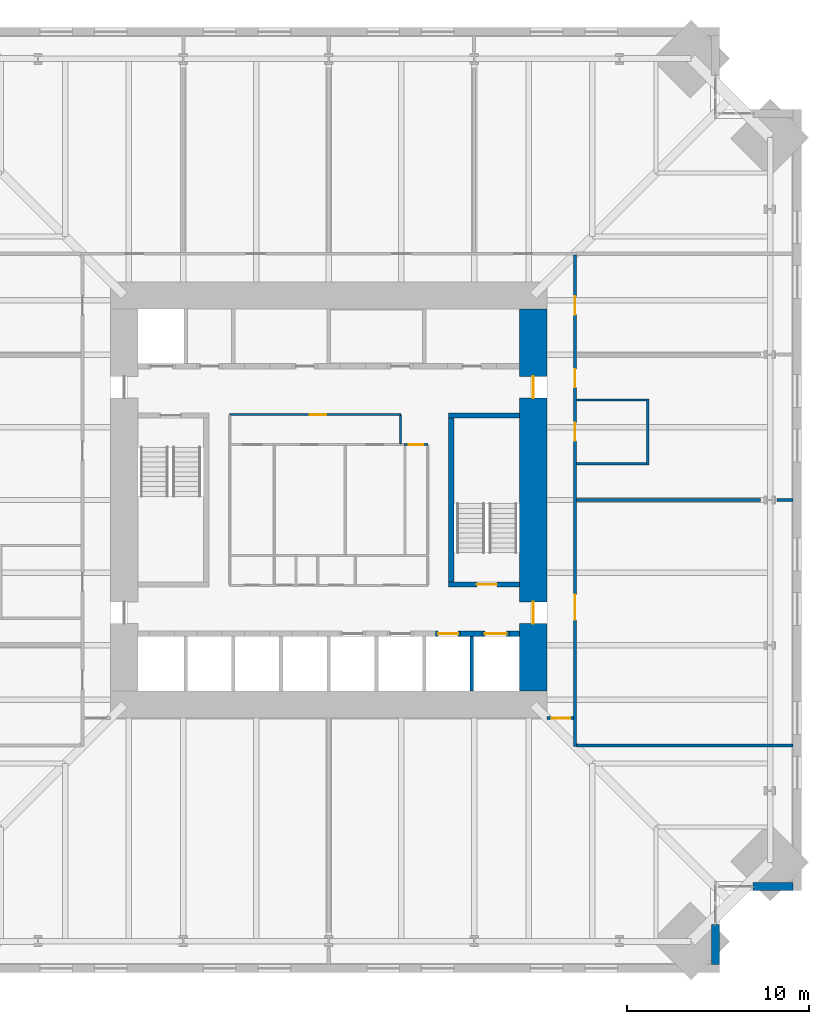
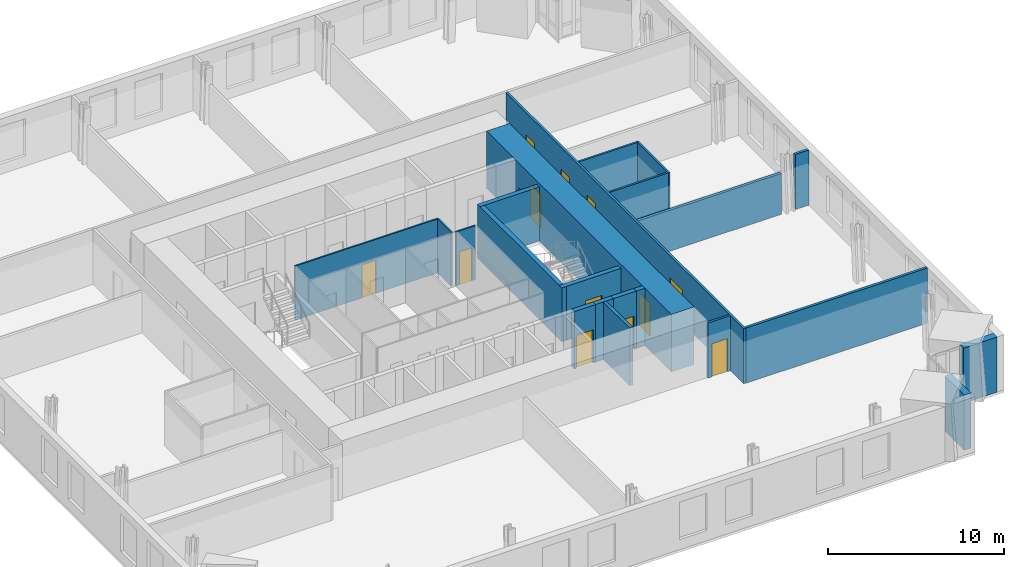
# One storey, part 15 of 18: 22 walls, 12 doors, 12 openings.
"""IFC4 building model written with IfcOpenShell, lengths in metres."""

from ifc_helpers import new_model, si_unit, direction, frame, frame_2d, origin, place, context, subcontext, project, spatial, rectangle, extrude, material, layer, layer_set, type_object, element, fill, save


model = new_model("IFC4")

# Units and contexts
model_context = context("Model", 3, precision=1e-05, world=origin(), true_north=direction((0.0, 1.0)))
body_context = subcontext(model_context, "Body", "Model", "MODEL_VIEW")
ifc_project = project(units=[si_unit("LENGTHUNIT", "METRE"), si_unit("AREAUNIT", "SQUARE_METRE"), si_unit("VOLUMEUNIT", "CUBIC_METRE"), si_unit("PLANEANGLEUNIT", "RADIAN"), si_unit("MASSUNIT", "GRAM", prefix="KILO")], contexts=[model_context])

# Site, building, storey
site_placement = place(None, origin())
site = spatial("IfcSite", under=ifc_project, at=site_placement, CompositionType="ELEMENT")
building_placement = place(site_placement, origin())
building = spatial("IfcBuilding", under=site, at=building_placement, Name="Peilmerk Tower", CompositionType="ELEMENT")
storey_placement = place(building_placement, frame((0.0, 0.0, 163.800048828125)))
storey = spatial("IfcBuildingStorey", under=building, at=storey_placement, Name="L34", CompositionType="ELEMENT", Elevation=163.800048828125)

# Walls
ifc_material_1 = material(Name="Precast concrete C45/55, board-marked finish", Category="concrete")
ifc_layer_1 = layer(ifc_material_1, 0.449951171875)
ifc_layer_set_1 = layer_set([ifc_layer_1], Name="Precast concrete C45/55, board-marked finish")
wall_type_1 = type_object("IfcWallType", Name="EW1 450 precast concrete facade wall, board-marked", PredefinedType="SOLIDWALL", material=ifc_layer_set_1)
for number, where, z_axis, x_axis, name in (
    (1, (21.27490234375, -23.353759765625, 0.0), (0.0, 0.0, 1.0), (0.0, -1.0, 0.0), "Facade wall SEA L34"),
    (2, (23.353759765625, -21.27490234375, 0.0), (0.0, 0.0, 1.0), (1.0, 0.0, 0.0), "Facade wall SEB L34"),
):
    element("IfcWall", number, at=place(storey_placement, frame(where, z_axis=z_axis, x_axis=x_axis)), inside=storey, type_object=wall_type_1, Name=name, PredefinedType="SOLIDWALL", context=body_context, shape_type="SweptSolid", body=[
        extrude(rectangle(XDim=2.1962890625, YDim=0.449951171875, at=frame_2d((1.09814453125, 0.0))), origin(), (0.0, 0.0, 1.0), 3.829833984375),
    ])

# Wall, openings, doors
ifc_material_2 = material(Name="Calcium silicate block", Category="masonry")
ifc_layer_2 = layer(ifc_material_2, 0.14990234375)
ifc_layer_set_2 = layer_set([ifc_layer_2], Name="Calcium silicate block")
wall_type_2 = type_object("IfcWallType", Name="IW1 150 corridor partition, EI 60", PredefinedType="PARTITIONING", material=ifc_layer_set_2)
wall_1_placement = place(storey_placement, frame((13.550048828125, -13.574951171875, 0.0), z_axis=(0.0, 0.0, 1.0), x_axis=(0.0, 1.0, 0.0)))
wall_1 = element("IfcWall", 3, at=wall_1_placement, inside=storey, type_object=wall_type_2, Name="Corridor wall E L34", PredefinedType="PARTITIONING", context=body_context, shape_type="SweptSolid", body=[
    extrude(rectangle(XDim=27.050048828125, YDim=0.14990234375, at=frame_2d((13.52490234375, 0.0))), origin(), (0.0, 0.0, 1.0), 3.829833984375),
])
opening_1_placement = place(wall_1_placement, frame((6.97509765625, 0.0, 0.0)))
opening_1 = element("IfcOpeningElement", 4, at=opening_1_placement, cuts=wall_1, Name="Opening D8", PredefinedType="OPENING", context=body_context, shape_type="SweptSolid", body=[
    extrude(rectangle(XDim=1.39990234375, YDim=2.300048828125, at=frame_2d((0.699951171875, 1.14990234375))), frame((0.0, 0.0849609375, 0.0), z_axis=(0.0, -1.0, 0.0), x_axis=(1.0, 0.0, 0.0)), (0.0, 0.0, 1.0), 0.169921875),
])
opening_2_placement = place(wall_1_placement, frame((19.77490234375, 0.0, 0.0)))
opening_2 = element("IfcOpeningElement", 5, at=opening_2_placement, cuts=wall_1, Name="Opening D1", PredefinedType="OPENING", context=body_context, shape_type="SweptSolid", body=[
    extrude(rectangle(XDim=1.0, YDim=2.300048828125, at=frame_2d((0.5, 1.14990234375))), frame((0.0, 0.0849609375, 0.0), z_axis=(0.0, -1.0, 0.0), x_axis=(1.0, 0.0, 0.0)), (0.0, 0.0, 1.0), 0.169921875),
])
opening_3_placement = place(wall_1_placement, frame((23.77490234375, 0.0, 0.0)))
opening_3 = element("IfcOpeningElement", 6, at=opening_3_placement, cuts=wall_1, Name="Opening D1", PredefinedType="OPENING", context=body_context, shape_type="SweptSolid", body=[
    extrude(rectangle(XDim=1.0, YDim=2.300048828125, at=frame_2d((0.5, 1.14990234375))), frame((0.0, 0.0849609375, 0.0), z_axis=(0.0, -1.0, 0.0), x_axis=(1.0, 0.0, 0.0)), (0.0, 0.0, 1.0), 0.169921875),
])
opening_4_placement = place(wall_1_placement, frame((16.824951171875, 0.0, 0.0)))
opening_4 = element("IfcOpeningElement", 7, at=opening_4_placement, cuts=wall_1, Name="Opening D1", PredefinedType="OPENING", context=body_context, shape_type="SweptSolid", body=[
    extrude(rectangle(XDim=1.0, YDim=2.300048828125, at=frame_2d((0.5, 1.14990234375))), frame((0.0, 0.0849609375, 0.0), z_axis=(0.0, -1.0, 0.0), x_axis=(1.0, 0.0, 0.0)), (0.0, 0.0, 1.0), 0.169921875),
])
ifc_material_3 = material(Name="Timber door in steel frame", Category="steel")
door_type_1 = type_object("IfcDoorType", Name="D1 1000x2300 room door, EI2 30", OperationType="SINGLE_SWING_LEFT", PredefinedType="DOOR", material=ifc_material_3)
door_1_placement = place(opening_2_placement, frame((1.0, 0.0, 0.0), z_axis=(0.0, 0.0, 1.0), x_axis=(-1.0, 0.0, 0.0)))
door_1 = element("IfcDoor", 8, at=door_1_placement, inside=storey, type_object=door_type_1, Name="Door Office L34", OperationType="SINGLE_SWING_LEFT", OverallHeight=2.300048828125, OverallWidth=1.0, PredefinedType="DOOR", context=body_context, shape_type="SweptSolid", body=[
    extrude(rectangle(XDim=1.0, YDim=2.300048828125, at=frame_2d((0.5, 1.14990234375))), frame((0.0, 0.02490234375, 0.0), z_axis=(0.0, -1.0, 0.0), x_axis=(1.0, 0.0, 0.0)), (0.0, 0.0, 1.0), 0.050048828125),
])
fill(opening_2, door_1)
door_2_placement = place(opening_3_placement, frame((1.0, 0.0, 0.0), z_axis=(0.0, 0.0, 1.0), x_axis=(-1.0, 0.0, 0.0)))
door_2 = element("IfcDoor", 9, at=door_2_placement, inside=storey, type_object=door_type_1, Name="Door Office L34", OperationType="SINGLE_SWING_LEFT", OverallHeight=2.300048828125, OverallWidth=1.0, PredefinedType="DOOR", context=body_context, shape_type="SweptSolid", body=[
    extrude(rectangle(XDim=1.0, YDim=2.300048828125, at=frame_2d((0.5, 1.14990234375))), frame((0.0, 0.02490234375, 0.0), z_axis=(0.0, -1.0, 0.0), x_axis=(1.0, 0.0, 0.0)), (0.0, 0.0, 1.0), 0.050048828125),
])
fill(opening_3, door_2)
door_3_placement = place(opening_4_placement, frame((1.0, 0.0, 0.0), z_axis=(0.0, 0.0, 1.0), x_axis=(-1.0, 0.0, 0.0)))
door_3 = element("IfcDoor", 10, at=door_3_placement, inside=storey, type_object=door_type_1, Name="Door Pantry L34", OperationType="SINGLE_SWING_LEFT", OverallHeight=2.300048828125, OverallWidth=1.0, PredefinedType="DOOR", context=body_context, shape_type="SweptSolid", body=[
    extrude(rectangle(XDim=1.0, YDim=2.300048828125, at=frame_2d((0.5, 1.14990234375))), frame((0.0, 0.02490234375, 0.0), z_axis=(0.0, -1.0, 0.0), x_axis=(1.0, 0.0, 0.0)), (0.0, 0.0, 1.0), 0.050048828125),
])
fill(opening_4, door_3)
door_type_2 = type_object("IfcDoorType", Name="D8 1400x2300 leaf-and-a-half door, EI2 30", OperationType="DOUBLE_DOOR_SINGLE_SWING", PredefinedType="DOOR", material=ifc_material_3)
door_4_placement = place(opening_1_placement, frame((1.39990234375, 0.0, 0.0), z_axis=(0.0, 0.0, 1.0), x_axis=(-1.0, 0.0, 0.0)))
door_4 = element("IfcDoor", 11, at=door_4_placement, inside=storey, type_object=door_type_2, Name="Door Library L34", OperationType="DOUBLE_DOOR_SINGLE_SWING", OverallHeight=2.300048828125, OverallWidth=1.39990234375, PredefinedType="DOOR", context=body_context, shape_type="SweptSolid", body=[
    extrude(rectangle(XDim=1.39990234375, YDim=2.300048828125, at=frame_2d((0.699951171875, 1.14990234375))), frame((0.0, 0.02490234375, 0.0), z_axis=(0.0, -1.0, 0.0), x_axis=(1.0, 0.0, 0.0)), (0.0, 0.0, 1.0), 0.050048828125),
])
fill(opening_1, door_4)

# Wall, opening, door
wall_2_placement = place(storey_placement, frame((13.47509765625, -12.0, 0.0), z_axis=(0.0, 0.0, 1.0), x_axis=(-1.0, 0.0, 0.0)))
wall_2 = element("IfcWall", 12, at=wall_2_placement, inside=storey, type_object=wall_type_2, Name="Corridor wall SE L34", PredefinedType="PARTITIONING", context=body_context, shape_type="SweptSolid", body=[
    extrude(rectangle(XDim=1.47509765625, YDim=0.14990234375, at=frame_2d((0.737548828125, 0.0))), origin(), (0.0, 0.0, 1.0), 3.829833984375),
])
opening_5_placement = place(wall_2_placement, frame((0.199951171875, 0.0, 0.0)))
opening_5 = element("IfcOpeningElement", 13, at=opening_5_placement, cuts=wall_2, Name="Opening D1", PredefinedType="OPENING", context=body_context, shape_type="SweptSolid", body=[
    extrude(rectangle(XDim=1.0, YDim=2.300048828125, at=frame_2d((0.5, 1.14990234375))), frame((0.0, 0.0849609375, 0.0), z_axis=(0.0, -1.0, 0.0), x_axis=(1.0, 0.0, 0.0)), (0.0, 0.0, 1.0), 0.169921875),
])
door_5_placement = place(opening_5_placement, origin())
door_5 = element("IfcDoor", 14, at=door_5_placement, inside=storey, type_object=door_type_1, Name="Door Office L34", OperationType="SINGLE_SWING_LEFT", OverallHeight=2.300048828125, OverallWidth=1.0, PredefinedType="DOOR", context=body_context, shape_type="SweptSolid", body=[
    extrude(rectangle(XDim=1.0, YDim=2.300048828125, at=frame_2d((0.5, 1.14990234375))), frame((0.0, 0.02490234375, 0.0), z_axis=(0.0, -1.0, 0.0), x_axis=(1.0, 0.0, 0.0)), (0.0, 0.0, 1.0), 0.050048828125),
])
fill(opening_5, door_5)

# Walls
ifc_material_4 = material(Name="Concrete C35/45", Category="concrete")
ifc_layer_3 = layer(ifc_material_4, 0.300048828125)
ifc_layer_set_3 = layer_set([ifc_layer_3], Name="Concrete C35/45")
wall_type_3 = type_object("IfcWallType", Name="IW3 300 concrete stair enclosure wall, EI 120", PredefinedType="SOLIDWALL", material=ifc_layer_set_3)
wall_3_placement = place(storey_placement, frame((6.75, -4.800048828125, 0.0), z_axis=(0.0, 0.0, 1.0), x_axis=(0.0, 1.0, 0.0)))
element("IfcWall", 15, at=wall_3_placement, inside=storey, type_object=wall_type_3, Name="Stair 2 enclosure L34", PredefinedType="SOLIDWALL", context=body_context, shape_type="SweptSolid", body=[
    extrude(rectangle(XDim=9.60009765625, YDim=0.300048828125, at=frame_2d((4.800048828125, 0.0))), origin(), (0.0, 0.0, 1.0), 3.75),
])
wall_4_placement = place(storey_placement, frame((6.60009765625, 4.64990234375, 0.0), z_axis=(0.0, 0.0, 1.0), x_axis=(1.0, 0.0, 0.0)))
element("IfcWall", 16, at=wall_4_placement, inside=storey, type_object=wall_type_3, Name="Stair 2 enclosure L34", PredefinedType="SOLIDWALL", context=body_context, shape_type="SweptSolid", body=[
    extrude(rectangle(XDim=3.89990234375, YDim=0.300048828125, at=frame_2d((1.949951171875, 0.0))), origin(), (0.0, 0.0, 1.0), 3.75),
])

# Wall, opening, door
wall_5_placement = place(storey_placement, frame((10.5, -4.64990234375, 0.0), z_axis=(0.0, 0.0, 1.0), x_axis=(-1.0, 0.0, 0.0)))
wall_5 = element("IfcWall", 17, at=wall_5_placement, inside=storey, type_object=wall_type_3, Name="Stair 2 enclosure L34", PredefinedType="SOLIDWALL", context=body_context, shape_type="SweptSolid", body=[
    extrude(rectangle(XDim=3.89990234375, YDim=0.300048828125, at=frame_2d((1.949951171875, 0.0))), origin(), (0.0, 0.0, 1.0), 3.75),
])
opening_6_placement = place(wall_5_placement, frame((1.25, 0.0, 0.0)))
opening_6 = element("IfcOpeningElement", 18, at=opening_6_placement, cuts=wall_5, Name="Opening D4", PredefinedType="OPENING", context=body_context, shape_type="SweptSolid", body=[
    extrude(rectangle(XDim=1.10009765625, YDim=2.300048828125, at=frame_2d((0.550048828125, 1.14990234375))), frame((0.0, 0.159912109375, 0.0), z_axis=(0.0, -1.0, 0.0), x_axis=(1.0, 0.0, 0.0)), (0.0, 0.0, 1.0), 0.320068359375),
])
ifc_material_5 = material(Name="Steel door in steel frame", Category="steel")
door_type_3 = type_object("IfcDoorType", Name="D4 1100x2300 stair door, EI2 60", OperationType="SINGLE_SWING_RIGHT", PredefinedType="DOOR", material=ifc_material_5)
door_6_placement = place(opening_6_placement, frame((1.10009765625, 0.0, 0.0), z_axis=(0.0, 0.0, 1.0), x_axis=(-1.0, 0.0, 0.0)))
door_6 = element("IfcDoor", 19, at=door_6_placement, inside=storey, type_object=door_type_3, Name="Stair 2 door L34", OperationType="SINGLE_SWING_RIGHT", OverallHeight=2.300048828125, OverallWidth=1.10009765625, PredefinedType="DOOR", context=body_context, shape_type="SweptSolid", body=[
    extrude(rectangle(XDim=1.10009765625, YDim=2.300048828125, at=frame_2d((0.550048828125, 1.14990234375))), frame((0.0, 0.02490234375, 0.0), z_axis=(0.0, -1.0, 0.0), x_axis=(1.0, 0.0, 0.0)), (0.0, 0.0, 1.0), 0.050048828125),
])
fill(opening_6, door_6)

ifc_material_6 = material(Name="Calcium silicate board on steel studs", Category="steel")
ifc_layer_4 = layer(ifc_material_6, 0.10009765625)
ifc_layer_set_4 = layer_set([ifc_layer_4], Name="Calcium silicate board on steel studs")
wall_type_4 = type_object("IfcWallType", Name="IW5 100 riser enclosure wall, EI 60", PredefinedType="PARTITIONING", material=ifc_layer_set_4)
wall_6_placement = place(storey_placement, frame((4.14990234375, 3.050048828125, 0.0), z_axis=(0.0, 0.0, 1.0), x_axis=(1.0, 0.0, 0.0)))
wall_6 = element("IfcWall", 20, at=wall_6_placement, inside=storey, type_object=wall_type_4, Name="Riser wall L34", PredefinedType="PARTITIONING", context=body_context, shape_type="SweptSolid", body=[
    extrude(rectangle(XDim=1.300048828125, YDim=0.10009765625, at=frame_2d((0.64990234375, 0.0))), origin(), (0.0, 0.0, 1.0), 3.75),
])
opening_7_placement = place(wall_6_placement, frame((0.25, 0.0, 0.0)))
opening_7 = element("IfcOpeningElement", 21, at=opening_7_placement, cuts=wall_6, Name="Opening D7", PredefinedType="OPENING", context=body_context, shape_type="SweptSolid", body=[
    extrude(rectangle(XDim=0.800048828125, YDim=2.300048828125, at=frame_2d((0.39990234375, 1.14990234375))), frame((0.0, 0.06005859375, 0.0), z_axis=(0.0, -1.0, 0.0), x_axis=(1.0, 0.0, 0.0)), (0.0, 0.0, 1.0), 0.1201171875),
])
door_type_4 = type_object("IfcDoorType", Name="D7 800x2300 riser access door, EI2 60", OperationType="SINGLE_SWING_RIGHT", PredefinedType="DOOR", material=ifc_material_5)
door_7_placement = place(opening_7_placement, frame((0.800048828125, 0.0, 0.0), z_axis=(0.0, 0.0, 1.0), x_axis=(-1.0, 0.0, 0.0)))
door_7 = element("IfcDoor", 22, at=door_7_placement, inside=storey, type_object=door_type_4, Name="Plumbing riser door L34", OperationType="SINGLE_SWING_RIGHT", OverallHeight=2.300048828125, OverallWidth=0.800048828125, PredefinedType="DOOR", context=body_context, shape_type="SweptSolid", body=[
    extrude(rectangle(XDim=0.800048828125, YDim=2.300048828125, at=frame_2d((0.39990234375, 1.14990234375))), frame((0.0, 0.02490234375, 0.0), z_axis=(0.0, -1.0, 0.0), x_axis=(1.0, 0.0, 0.0)), (0.0, 0.0, 1.0), 0.050048828125),
])
fill(opening_7, door_7)

# Walls
ifc_material_7 = material(Name="Plasterboard on steel studs, double boarded with mineral wool", Category="steel")
ifc_layer_5 = layer(ifc_material_7, 0.125)
ifc_layer_set_5 = layer_set([ifc_layer_5], Name="Plasterboard on steel studs, double boarded with mineral wool")
wall_type_5 = type_object("IfcWallType", Name="IW7 125 acoustic partition, EI 30", PredefinedType="PARTITIONING", material=ifc_layer_set_5)
wall_7_placement = place(storey_placement, frame((17.550048828125, 1.9375, 0.0), z_axis=(0.0, 0.0, 1.0), x_axis=(0.0, 1.0, 0.0)))
element("IfcWall", 23, at=wall_7_placement, inside=storey, type_object=wall_type_5, Name="Acoustic partition Pantry L34", PredefinedType="PARTITIONING", context=body_context, shape_type="SweptSolid", body=[
    extrude(rectangle(XDim=3.625, YDim=0.125, at=frame_2d((1.8125, 0.0))), origin(), (0.0, 0.0, 1.0), 3.829833984375),
])
for number, where, z_axis, x_axis, name in (
    (24, (13.625, 2.0, 0.0), (0.0, 0.0, 1.0), (1.0, 0.0, 0.0), "Acoustic partition Pantry L34"),
    (25, (13.625, 5.5, 0.0), (0.0, 0.0, 1.0), (1.0, 0.0, 0.0), "Acoustic partition Pantry L34"),
):
    element("IfcWall", number, at=place(storey_placement, frame(where, z_axis=z_axis, x_axis=x_axis)), inside=storey, type_object=wall_type_5, Name=name, PredefinedType="PARTITIONING", context=body_context, shape_type="SweptSolid", body=[
        extrude(rectangle(XDim=3.862548828125, YDim=0.125, at=frame_2d((1.93115234375, 0.0))), origin(), (0.0, 0.0, 1.0), 3.829833984375),
    ])
ifc_layer_6 = layer(ifc_material_2, 0.175048828125)
ifc_layer_set_6 = layer_set([ifc_layer_6], Name="Calcium silicate block")
wall_type_6 = type_object("IfcWallType", Name="IW8 175 tenant separating wall, EI 60", PredefinedType="PARTITIONING", material=ifc_layer_set_6)
wall_8_placement = place(storey_placement, frame((25.550048828125, -13.5, 0.0), z_axis=(0.0, 0.0, 1.0), x_axis=(-1.0, 0.0, 0.0)))
element("IfcWall", 26, at=wall_8_placement, inside=storey, type_object=wall_type_6, Name="Tenant separating wall SE L34", PredefinedType="PARTITIONING", context=body_context, shape_type="SweptSolid", body=[
    extrude(rectangle(XDim=11.925048828125, YDim=0.175048828125, at=frame_2d((5.96240234375, 0.0))), origin(), (0.0, 0.0, 1.0), 3.829833984375),
])
wall_9_placement = place(storey_placement, frame((13.625, 0.0, 0.0), z_axis=(0.0, 0.0, 1.0), x_axis=(1.0, 0.0, 0.0)))
element("IfcWall", 27, at=wall_9_placement, inside=storey, type_object=wall_type_6, Name="Tenant separating wall E1 L34", PredefinedType="PARTITIONING", context=body_context, shape_type="SweptSolid", body=[
    extrude(rectangle(XDim=10.1416015625, YDim=0.175048828125, at=frame_2d((5.07080078125, 0.0))), origin(), (0.0, 0.0, 1.0), 2.83984375),
])
wall_10_placement = place(storey_placement, frame((24.656005859375, 0.0, 0.0), z_axis=(0.0, 0.0, 1.0), x_axis=(1.0, 0.0, 0.0)))
element("IfcWall", 28, at=wall_10_placement, inside=storey, type_object=wall_type_6, Name="Tenant separating wall E1b L34", PredefinedType="PARTITIONING", context=body_context, shape_type="SweptSolid", body=[
    extrude(rectangle(XDim=0.89404296875, YDim=0.175048828125, at=frame_2d((0.447021484375, 0.0))), origin(), (0.0, 0.0, 1.0), 3.829833984375),
])

# Wall, opening, door
ifc_material_8 = material(Name="Fire-resisting plasterboard on steel studs", Category="steel")
ifc_layer_7 = layer(ifc_material_8, 0.10009765625)
ifc_layer_set_7 = layer_set([ifc_layer_7], Name="Fire-resisting plasterboard on steel studs")
wall_type_7 = type_object("IfcWallType", Name="IW9 100 WC lobby wall, EI 30", PredefinedType="PARTITIONING", material=ifc_layer_set_7)
wall_11_placement = place(storey_placement, frame((-5.449951171875, 4.699951171875, 0.0), z_axis=(0.0, 0.0, 1.0), x_axis=(1.0, 0.0, 0.0)))
wall_11 = element("IfcWall", 29, at=wall_11_placement, inside=storey, type_object=wall_type_7, Name="WC lobby wall L34", PredefinedType="PARTITIONING", context=body_context, shape_type="SweptSolid", body=[
    extrude(rectangle(XDim=9.39990234375, YDim=0.10009765625, at=frame_2d((4.699951171875, 0.0))), origin(), (0.0, 0.0, 1.0), 3.75),
])
opening_8_placement = place(wall_11_placement, frame((4.39990234375, 0.0, 0.0)))
opening_8 = element("IfcOpeningElement", 30, at=opening_8_placement, cuts=wall_11, Name="Opening D11", PredefinedType="OPENING", context=body_context, shape_type="SweptSolid", body=[
    extrude(rectangle(XDim=0.89990234375, YDim=2.300048828125, at=frame_2d((0.449951171875, 1.14990234375))), frame((0.0, 0.06005859375, 0.0), z_axis=(0.0, -1.0, 0.0), x_axis=(1.0, 0.0, 0.0)), (0.0, 0.0, 1.0), 0.1201171875),
])
door_type_5 = type_object("IfcDoorType", Name="D11 900x2300 WC lobby door, EI2 30", OperationType="SINGLE_SWING_LEFT", PredefinedType="DOOR", material=ifc_material_3)
door_8_placement = place(opening_8_placement, frame((0.89990234375, 0.0, 0.0), z_axis=(0.0, 0.0, 1.0), x_axis=(-1.0, 0.0, 0.0)))
door_8 = element("IfcDoor", 31, at=door_8_placement, inside=storey, type_object=door_type_5, Name="WC lobby door L34", OperationType="SINGLE_SWING_LEFT", OverallHeight=2.300048828125, OverallWidth=0.89990234375, PredefinedType="DOOR", context=body_context, shape_type="SweptSolid", body=[
    extrude(rectangle(XDim=0.89990234375, YDim=2.300048828125, at=frame_2d((0.449951171875, 1.14990234375))), frame((0.0, 0.02490234375, 0.0), z_axis=(0.0, -1.0, 0.0), x_axis=(1.0, 0.0, 0.0)), (0.0, 0.0, 1.0), 0.050048828125),
])
fill(opening_8, door_8)

# Walls
wall_12_placement = place(storey_placement, frame((3.949951171875, 3.10009765625, 0.0), z_axis=(0.0, 0.0, 1.0), x_axis=(0.0, 1.0, 0.0)))
element("IfcWall", 32, at=wall_12_placement, inside=storey, type_object=wall_type_7, Name="WC lobby wall L34", PredefinedType="PARTITIONING", context=body_context, shape_type="SweptSolid", body=[
    extrude(rectangle(XDim=1.5498046875, YDim=0.10009765625, at=frame_2d((0.77490234375, 0.0))), origin(), (0.0, 0.0, 1.0), 3.75),
])
ifc_layer_8 = layer(ifc_material_2, 0.199951171875)
ifc_layer_set_8 = layer_set([ifc_layer_8], Name="Calcium silicate block")
wall_type_8 = type_object("IfcWallType", Name="SH1 200 shaft dividing wall, EI 120", PredefinedType="PARTITIONING", material=ifc_layer_set_8)
wall_13_placement = place(storey_placement, frame((7.875, -10.5, 0.0), z_axis=(0.0, 0.0, 1.0), x_axis=(0.0, 1.0, 0.0)))
element("IfcWall", 33, at=wall_13_placement, inside=storey, type_object=wall_type_8, Name="Shaft wall S B1 L34", PredefinedType="PARTITIONING", context=body_context, shape_type="SweptSolid", body=[
    extrude(rectangle(XDim=3.0, YDim=0.199951171875, at=frame_2d((1.5, 0.0))), origin(), (0.0, 0.0, 1.0), 4.0),
])

# Wall, opening, door
ifc_layer_9 = layer(ifc_material_2, 0.300048828125)
ifc_layer_set_9 = layer_set([ifc_layer_9], Name="Calcium silicate block")
wall_type_9 = type_object("IfcWallType", Name="SH2 300 lift landing door panel, EI 120", PredefinedType="PARTITIONING", material=ifc_layer_set_9)
wall_14_placement = place(storey_placement, frame((5.862548828125, -7.35009765625, 0.0), z_axis=(0.0, 0.0, 1.0), x_axis=(1.0, 0.0, 0.0)))
wall_14 = element("IfcWall", 34, at=wall_14_placement, inside=storey, type_object=wall_type_9, Name="Lift door panel S B1 L34", PredefinedType="PARTITIONING", context=body_context, shape_type="SweptSolid", body=[
    extrude(rectangle(XDim=1.39990234375, YDim=0.300048828125, at=frame_2d((0.699951171875, 0.0))), origin(), (0.0, 0.0, 1.0), 4.0),
])
opening_9_placement = place(wall_14_placement, frame((0.14990234375, 0.0, 0.0)))
opening_9 = element("IfcOpeningElement", 35, at=opening_9_placement, cuts=wall_14, Name="Opening LD1", PredefinedType="OPENING", context=body_context, shape_type="SweptSolid", body=[
    extrude(rectangle(XDim=1.10009765625, YDim=2.300048828125, at=frame_2d((0.550048828125, 1.14990234375))), frame((0.0, 0.159912109375, 0.0), z_axis=(0.0, -1.0, 0.0), x_axis=(1.0, 0.0, 0.0)), (0.0, 0.0, 1.0), 0.320068359375),
])
ifc_material_9 = material(Name="Stainless steel landing door", Category="steel")
door_type_6 = type_object("IfcDoorType", Name="LD1 1100x2300 lift landing door, sliding, EI2 60", OperationType="SLIDING_TO_LEFT", PredefinedType="DOOR", material=ifc_material_9)
door_9_placement = place(opening_9_placement, origin())
door_9 = element("IfcDoor", 36, at=door_9_placement, inside=storey, type_object=door_type_6, Name="Lift landing door B1 L34", OperationType="SLIDING_TO_LEFT", OverallHeight=2.300048828125, OverallWidth=1.10009765625, PredefinedType="DOOR", context=body_context, shape_type="SweptSolid", body=[
    extrude(rectangle(XDim=1.10009765625, YDim=2.300048828125, at=frame_2d((0.550048828125, 1.14990234375))), frame((0.0, 0.02490234375, 0.0), z_axis=(0.0, -1.0, 0.0), x_axis=(1.0, 0.0, 0.0)), (0.0, 0.0, 1.0), 0.050048828125),
])
fill(opening_9, door_9)

wall_15_placement = place(storey_placement, frame((8.4375, -7.35009765625, 0.0), z_axis=(0.0, 0.0, 1.0), x_axis=(1.0, 0.0, 0.0)))
wall_15 = element("IfcWall", 37, at=wall_15_placement, inside=storey, type_object=wall_type_9, Name="Lift door panel S FL2 L34", PredefinedType="PARTITIONING", context=body_context, shape_type="SweptSolid", body=[
    extrude(rectangle(XDim=1.5, YDim=0.300048828125, at=frame_2d((0.75, 0.0))), origin(), (0.0, 0.0, 1.0), 4.0),
])
opening_10_placement = place(wall_15_placement, frame((0.14990234375, 0.0, 0.0)))
opening_10 = element("IfcOpeningElement", 38, at=opening_10_placement, cuts=wall_15, Name="Opening LD2", PredefinedType="OPENING", context=body_context, shape_type="SweptSolid", body=[
    extrude(rectangle(XDim=1.199951171875, YDim=2.300048828125, at=frame_2d((0.60009765625, 1.14990234375))), frame((0.0, 0.159912109375, 0.0), z_axis=(0.0, -1.0, 0.0), x_axis=(1.0, 0.0, 0.0)), (0.0, 0.0, 1.0), 0.320068359375),
])
door_type_7 = type_object("IfcDoorType", Name="LD2 1200x2300 lift landing door, sliding, EI2 60", OperationType="SLIDING_TO_LEFT", PredefinedType="DOOR", material=ifc_material_9)
door_10_placement = place(opening_10_placement, origin())
door_10 = element("IfcDoor", 39, at=door_10_placement, inside=storey, type_object=door_type_7, Name="Lift landing door FL2 L34", OperationType="SLIDING_TO_LEFT", OverallHeight=2.300048828125, OverallWidth=1.199951171875, PredefinedType="DOOR", context=body_context, shape_type="SweptSolid", body=[
    extrude(rectangle(XDim=1.199951171875, YDim=2.300048828125, at=frame_2d((0.60009765625, 1.14990234375))), frame((0.0, 0.02490234375, 0.0), z_axis=(0.0, -1.0, 0.0), x_axis=(1.0, 0.0, 0.0)), (0.0, 0.0, 1.0), 0.050048828125),
])
fill(opening_10, door_10)

# Wall, openings, doors
ifc_material_10 = material(Name="Concrete C55/67", Category="concrete")
ifc_layer_10 = layer(ifc_material_10, 1.5)
ifc_layer_set_10 = layer_set([ifc_layer_10], Name="Concrete C55/67")
wall_type_10 = type_object("IfcWallType", Name="SW1 1500 core wall", PredefinedType="SHEAR", material=ifc_layer_set_10)
wall_16_placement = place(storey_placement, frame((11.25, 10.5, 0.0), z_axis=(0.0, 0.0, 1.0), x_axis=(0.0, -1.0, 0.0)))
wall_16 = element("IfcWall", 40, at=wall_16_placement, inside=storey, type_object=wall_type_10, Name="Core wall E L34", PredefinedType="SHEAR", context=body_context, shape_type="SweptSolid", body=[
    extrude(rectangle(XDim=21.0, YDim=1.5, at=frame_2d((10.5, 0.0))), origin(), (0.0, 0.0, 1.0), 4.0),
])
opening_11_placement = place(wall_16_placement, frame((3.699951171875, 0.0, 0.0)))
opening_11 = element("IfcOpeningElement", 41, at=opening_11_placement, cuts=wall_16, Name="Opening D3", PredefinedType="OPENING", context=body_context, shape_type="SweptSolid", body=[
    extrude(rectangle(XDim=1.199951171875, YDim=2.300048828125, at=frame_2d((0.60009765625, 1.14990234375))), frame((0.0, 0.760009765625, 0.0), z_axis=(0.0, -1.0, 0.0), x_axis=(1.0, 0.0, 0.0)), (0.0, 0.0, 1.0), 1.52001953125),
])
opening_12_placement = place(wall_16_placement, frame((16.10009765625, 0.0, 0.0)))
opening_12 = element("IfcOpeningElement", 42, at=opening_12_placement, cuts=wall_16, Name="Opening D3", PredefinedType="OPENING", context=body_context, shape_type="SweptSolid", body=[
    extrude(rectangle(XDim=1.199951171875, YDim=2.300048828125, at=frame_2d((0.60009765625, 1.14990234375))), frame((0.0, 0.760009765625, 0.0), z_axis=(0.0, -1.0, 0.0), x_axis=(1.0, 0.0, 0.0)), (0.0, 0.0, 1.0), 1.52001953125),
])
door_type_8 = type_object("IfcDoorType", Name="D3 1200x2300 core door, EI2 60", OperationType="SINGLE_SWING_LEFT", PredefinedType="DOOR", material=ifc_material_5)
door_11_placement = place(opening_11_placement, frame((1.199951171875, 0.0, 0.0), z_axis=(0.0, 0.0, 1.0), x_axis=(-1.0, 0.0, 0.0)))
door_11 = element("IfcDoor", 43, at=door_11_placement, inside=storey, type_object=door_type_8, Name="Core door L34", OperationType="SINGLE_SWING_LEFT", OverallHeight=2.300048828125, OverallWidth=1.199951171875, PredefinedType="DOOR", context=body_context, shape_type="SweptSolid", body=[
    extrude(rectangle(XDim=1.199951171875, YDim=2.300048828125, at=frame_2d((0.60009765625, 1.14990234375))), frame((0.0, 0.02490234375, 0.0), z_axis=(0.0, -1.0, 0.0), x_axis=(1.0, 0.0, 0.0)), (0.0, 0.0, 1.0), 0.050048828125),
])
fill(opening_11, door_11)
door_12_placement = place(opening_12_placement, frame((1.199951171875, 0.0, 0.0), z_axis=(0.0, 0.0, 1.0), x_axis=(-1.0, 0.0, 0.0)))
door_12 = element("IfcDoor", 44, at=door_12_placement, inside=storey, type_object=door_type_8, Name="Core door L34", OperationType="SINGLE_SWING_LEFT", OverallHeight=2.300048828125, OverallWidth=1.199951171875, PredefinedType="DOOR", context=body_context, shape_type="SweptSolid", body=[
    extrude(rectangle(XDim=1.199951171875, YDim=2.300048828125, at=frame_2d((0.60009765625, 1.14990234375))), frame((0.0, 0.02490234375, 0.0), z_axis=(0.0, -1.0, 0.0), x_axis=(1.0, 0.0, 0.0)), (0.0, 0.0, 1.0), 0.050048828125),
])
fill(opening_12, door_12)

# Walls
ifc_layer_11 = layer(ifc_material_10, 0.300048828125)
ifc_layer_set_11 = layer_set([ifc_layer_11], Name="Concrete C55/67")
wall_type_11 = type_object("IfcWallType", Name="SW2 300 lift bank pier", PredefinedType="SHEAR", material=ifc_layer_set_11)
wall_17_placement = place(storey_placement, frame((7.262451171875, -7.35009765625, 0.0), z_axis=(0.0, 0.0, 1.0), x_axis=(1.0, 0.0, 0.0)))
element("IfcWall", 45, at=wall_17_placement, inside=storey, type_object=wall_type_11, Name="Lift bank pier S L34", PredefinedType="SHEAR", context=body_context, shape_type="SweptSolid", body=[
    extrude(rectangle(XDim=1.175048828125, YDim=0.300048828125, at=frame_2d((0.58740234375, 0.0))), origin(), (0.0, 0.0, 1.0), 4.0),
])
wall_18_placement = place(storey_placement, frame((9.9375, -7.35009765625, 0.0), z_axis=(0.0, 0.0, 1.0), x_axis=(1.0, 0.0, 0.0)))
element("IfcWall", 46, at=wall_18_placement, inside=storey, type_object=wall_type_11, Name="Lift bank pier S L34", PredefinedType="SHEAR", context=body_context, shape_type="SweptSolid", body=[
    extrude(rectangle(XDim=0.5625, YDim=0.300048828125, at=frame_2d((0.28125, 0.0))), origin(), (0.0, 0.0, 1.0), 4.0),
])

save(model, "model.ifc")
